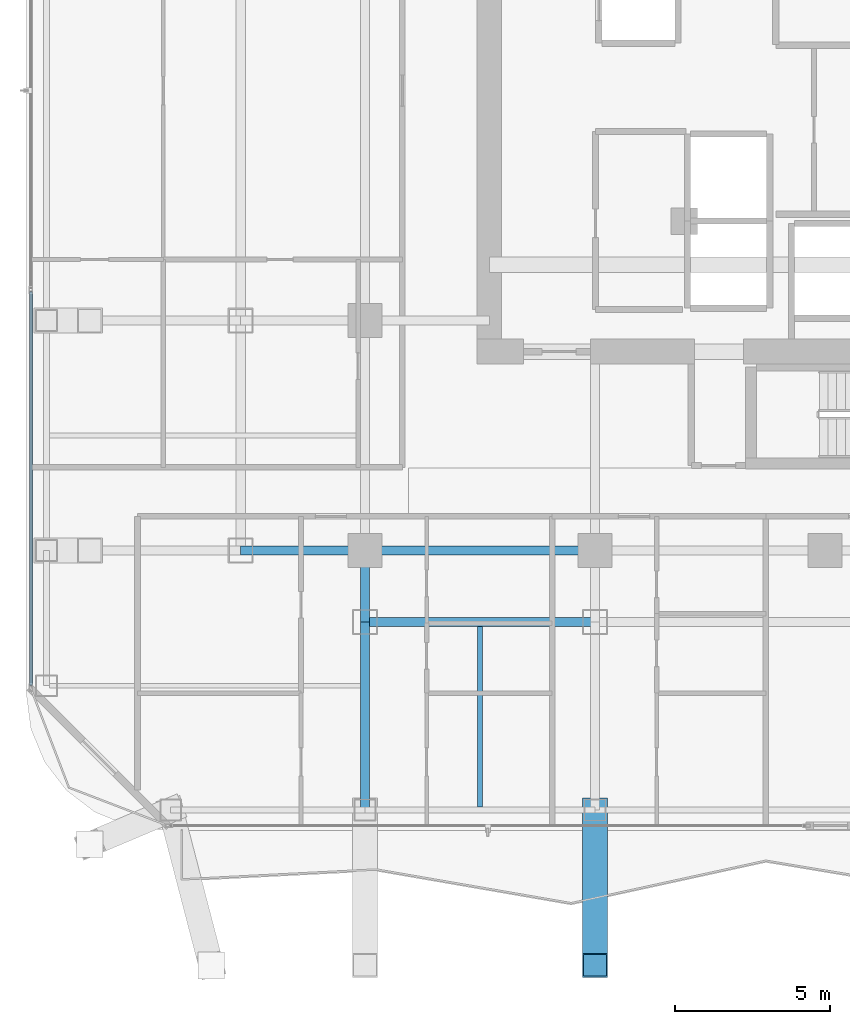
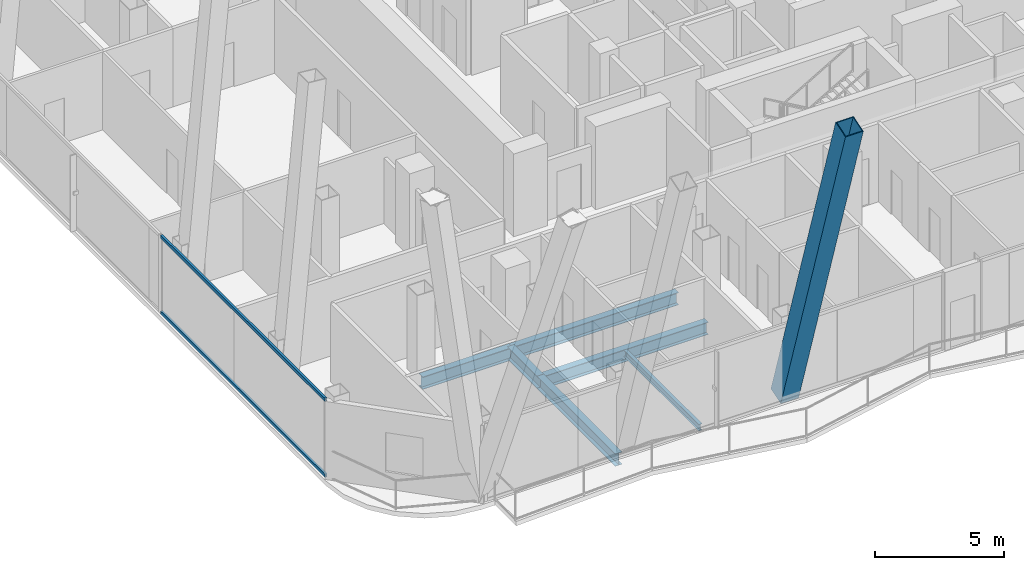
# One storey, part 5 of 34: 6 beams, 3 members, 1 element without a shape of its own.
"""IFC4 building model written with IfcOpenShell, lengths in metres."""

from ifc_helpers import new_model, si_unit, direction, frame, origin, origin_2d, place, context, subcontext, project, spatial, hollow_rectangle, i_section, extrude, material, layer, layer_set, material_profile, profile_set, type_object, element, aggregate, save


model = new_model("IFC4")

# Units and contexts
model_context = context("Model", 3, precision=1e-05, world=origin(), true_north=direction((0.0, 1.0)))
body_context = subcontext(model_context, "Body", "Model", "MODEL_VIEW")
ifc_project = project(units=[si_unit("LENGTHUNIT", "METRE"), si_unit("AREAUNIT", "SQUARE_METRE"), si_unit("VOLUMEUNIT", "CUBIC_METRE"), si_unit("PLANEANGLEUNIT", "RADIAN"), si_unit("MASSUNIT", "GRAM", prefix="KILO")], contexts=[model_context])

# Site, building, storey
site_placement = place(None, origin())
site = spatial("IfcSite", under=ifc_project, at=site_placement, CompositionType="ELEMENT")
building_placement = place(site_placement, origin())
building = spatial("IfcBuilding", under=site, at=building_placement, Name="Khorvyn Point Tower", CompositionType="ELEMENT")
storey_placement = place(building_placement, frame((0.0, 0.0, 175.800048828125)))
storey = spatial("IfcBuildingStorey", under=building, at=storey_placement, Name="L43", CompositionType="ELEMENT", Elevation=175.800048828125)

# Curtain wall, members
ifc_material_1 = material(Name="Anodised aluminium 6063-T6 and laminated Low-E glass", Category="aluminium")
ifc_layer = layer(ifc_material_1, 0.18994140625)
ifc_layer_set = layer_set([ifc_layer], Name="Stick-Built Acoustic Curtain Wall CW-SYS-03")
curtain_wall_type = type_object("IfcCurtainWallType", Name="Stick-Built Acoustic Curtain Wall CW-SYS-03", PredefinedType="NOTDEFINED", material=ifc_layer_set)
curtain_wall_placement = place(storey_placement, origin())
curtain_wall = element("IfcCurtainWall", 1, at=curtain_wall_placement, inside=storey, type_object=curtain_wall_type, Name="Curtain Wall", PredefinedType="NOTDEFINED")
ifc_material_2 = material(Name="Anodised aluminium 6063-T6", Category="aluminium")
ifc_material_profile_1 = material_profile(ifc_material_2, hollow_rectangle(XDim=0.10009765625, YDim=0.159912109375, WallThickness=0.00439453125, at=origin_2d()))
ifc_profile_set_1 = profile_set([ifc_material_profile_1], Name="Anodised aluminium 6063-T6 ALU-TRN-100x160")
member_type_1 = type_object("IfcMemberType", Name="Anodised Aluminium 6063-T6 Transom ALU-TRN-100x160", PredefinedType="USERDEFINED", material=ifc_profile_set_1)
member_1_placement = place(storey_placement, frame((-25.550048828125, -19.14990234375, 0.050048828125), z_axis=(0.0, 1.0, 0.0), x_axis=(-1.0, 0.0, 0.0)))
member_1 = element("IfcMember", 2, at=member_1_placement, type_object=member_type_1, Name="Transom", ObjectType="TRANSOM", PredefinedType="USERDEFINED", context=body_context, shape_type="SweptSolid", body=[
    extrude(hollow_rectangle(XDim=0.10009765625, YDim=0.159912109375, WallThickness=0.00439453125, at=origin_2d()), origin(), (0.0, 0.0, 1.0), 12.683349609375),
])
member_2_placement = place(storey_placement, frame((-25.550048828125, -19.14990234375, 3.6298828125), z_axis=(0.0, 1.0, 0.0), x_axis=(-1.0, 0.0, 0.0)))
member_2 = element("IfcMember", 3, at=member_2_placement, type_object=member_type_1, Name="Transom", ObjectType="TRANSOM", PredefinedType="USERDEFINED", context=body_context, shape_type="SweptSolid", body=[
    extrude(hollow_rectangle(XDim=0.10009765625, YDim=0.159912109375, WallThickness=0.00439453125, at=origin_2d()), origin(), (0.0, 0.0, 1.0), 12.683349609375),
])
aggregate(curtain_wall, [member_1, member_2])

# Beams
ifc_material_3 = material(Name="Steel S355", Category="steel")
ifc_material_profile_2 = material_profile(ifc_material_3, i_section(OverallWidth=0.300048828125, OverallDepth=0.587890625, WebThickness=0.011962890625, FlangeThickness=0.02001953125, at=origin_2d()))
ifc_profile_set_2 = profile_set([ifc_material_profile_2], Name="Steel S355 H588x300x12x20")
beam_type_1 = type_object("IfcBeamType", Name="Steel S355 Beam H588x300x12x20", PredefinedType="BEAM", material=ifc_profile_set_2)
beam_1_placement = place(storey_placement, frame((-18.800048828125, -14.800048828125, -0.51416015625), z_axis=(1.0, 0.0, 0.0), x_axis=(0.0, 1.0, 0.0)))
element("IfcBeam", 4, at=beam_1_placement, inside=storey, type_object=beam_type_1, Name="Beam", PredefinedType="BEAM", context=body_context, shape_type="SweptSolid", body=[
    extrude(i_section(OverallWidth=0.300048828125, OverallDepth=0.587890625, WebThickness=0.011962890625, FlangeThickness=0.02001953125, at=origin_2d()), origin(), (0.0, 0.0, 1.0), 4.0),
])
for number, where, z_axis, x_axis, name in (
    (5, (-14.800048828125, -14.800048828125, -0.51416015625), (1.0, 0.0, 0.0), (0.0, 1.0, 0.0), "Beam"),
    (6, (-14.800048828125, -17.10009765625, -0.51416015625), (1.0, 0.0, 0.0), (0.0, 1.0, 0.0), "Beam"),
):
    element("IfcBeam", number, at=place(storey_placement, frame(where, z_axis=z_axis, x_axis=x_axis)), inside=storey, type_object=beam_type_1, Name=name, PredefinedType="BEAM", context=body_context, shape_type="SweptSolid", body=[
        extrude(i_section(OverallWidth=0.300048828125, OverallDepth=0.587890625, WebThickness=0.011962890625, FlangeThickness=0.02001953125, at=origin_2d()), origin(), (0.0, 0.0, 1.0), 7.400146484375),
    ])
beam_2_placement = place(storey_placement, frame((-14.800048828125, -23.14990234375, -0.51416015625), z_axis=(0.0, 1.0, 0.0), x_axis=(-1.0, 0.0, 0.0)))
element("IfcBeam", 7, at=beam_2_placement, inside=storey, type_object=beam_type_1, Name="Beam", PredefinedType="BEAM", context=body_context, shape_type="SweptSolid", body=[
    extrude(i_section(OverallWidth=0.300048828125, OverallDepth=0.587890625, WebThickness=0.011962890625, FlangeThickness=0.02001953125, at=origin_2d()), origin(), (0.0, 0.0, 1.0), 6.0498046875),
])
beam_3_placement = place(storey_placement, frame((-14.800048828125, -17.10009765625, -0.51416015625), z_axis=(0.0, 1.0, 0.0), x_axis=(-1.0, 0.0, 0.0)))
element("IfcBeam", 8, at=beam_3_placement, inside=storey, type_object=beam_type_1, Name="Beam", PredefinedType="BEAM", context=body_context, shape_type="SweptSolid", body=[
    extrude(i_section(OverallWidth=0.300048828125, OverallDepth=0.587890625, WebThickness=0.011962890625, FlangeThickness=0.02001953125, at=origin_2d()), origin(), (0.0, 0.0, 1.0), 2.300048828125),
])
ifc_material_profile_3 = material_profile(ifc_material_3, i_section(OverallWidth=0.14990234375, OverallDepth=0.300048828125, WebThickness=0.006591796875, FlangeThickness=0.009033203125, at=origin_2d()))
ifc_profile_set_3 = profile_set([ifc_material_profile_3], Name="Steel S355 H300x150x6.5x9")
beam_type_2 = type_object("IfcBeamType", Name="Steel S355 Joist H300x150x6.5x9", PredefinedType="JOIST", material=ifc_profile_set_3)
beam_4_placement = place(storey_placement, frame((-11.10009765625, -23.050048828125, -0.3701171875), z_axis=(0.0, 1.0, 0.0), x_axis=(-1.0, 0.0, 0.0)))
element("IfcBeam", 9, at=beam_4_placement, inside=storey, type_object=beam_type_2, Name="Beam", PredefinedType="JOIST", context=body_context, shape_type="SweptSolid", body=[
    extrude(i_section(OverallWidth=0.14990234375, OverallDepth=0.300048828125, WebThickness=0.006591796875, FlangeThickness=0.009033203125, at=origin_2d()), origin(), (0.0, 0.0, 1.0), 5.800048828125),
])

# Member
ifc_material_4 = material(Name="Steel S450", Category="steel")
ifc_material_profile_4 = material_profile(ifc_material_4, hollow_rectangle(XDim=0.800048828125, YDim=0.800048828125, WallThickness=0.035888671875, at=origin_2d()))
ifc_profile_set_4 = profile_set([ifc_material_profile_4], Name="Steel S450 BOX800x800x36")
member_type_2 = type_object("IfcMemberType", Name="Steel S450 Exoskeleton Structural Post BOX800x800x36", PredefinedType="POST", material=ifc_profile_set_4)
member_3_placement = place(storey_placement, frame((-7.39990234375, -23.14990234375, 0.0), z_axis=(0.0, -0.305221281103, 0.952281455013), x_axis=(1.0, 0.0, 0.0)))
element("IfcMember", 10, at=member_3_placement, inside=storey, type_object=member_type_2, Name="L43 to L47 Exoskeleton Transfer Post 08", PredefinedType="POST", context=body_context, shape_type="SweptSolid", body=[
    extrude(hollow_rectangle(XDim=0.800048828125, YDim=0.800048828125, WallThickness=0.035888671875, at=origin_2d()), origin(), (0.0, 0.0, 1.0), 16.381591796875),
])

save(model, "model.ifc")
